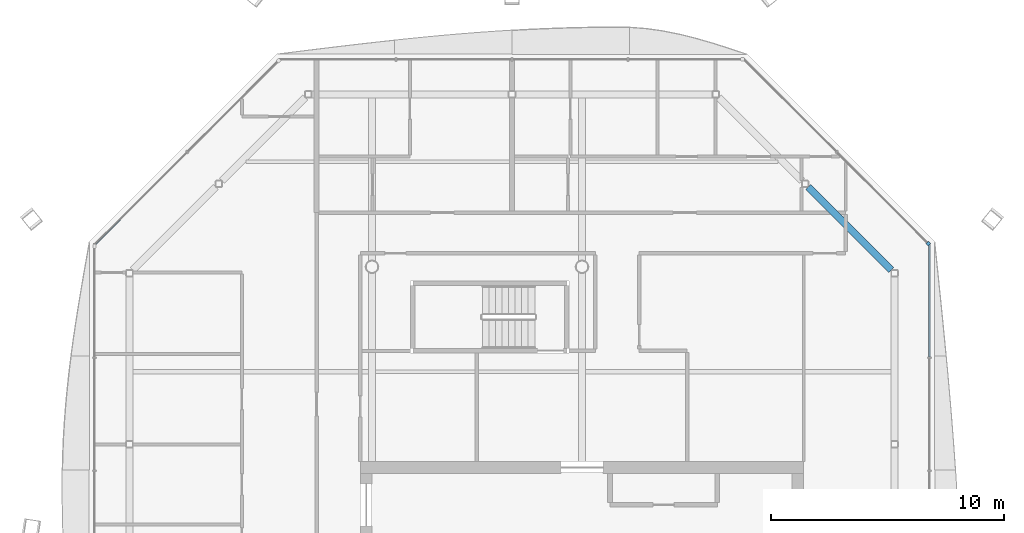
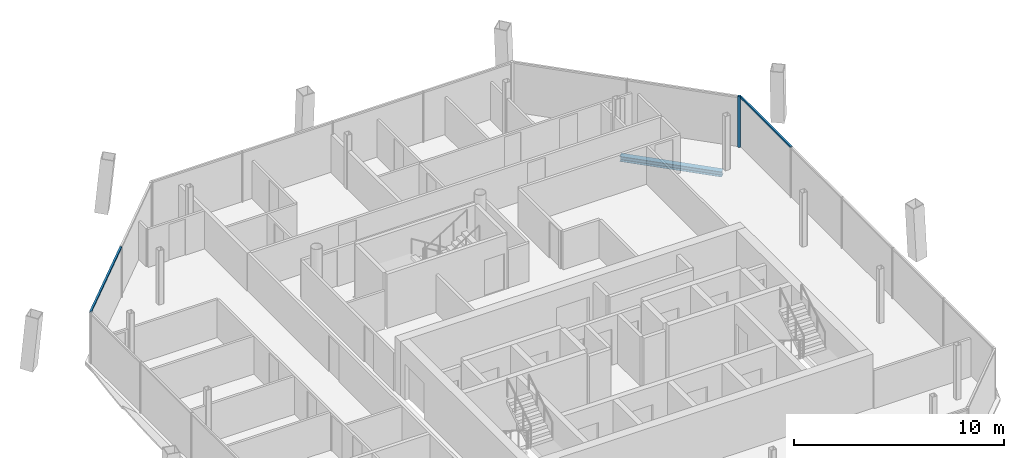
# One storey, part 7 of 15: 3 members, 1 beam, 3 elements without a shape of their own.
"""IFC4 building model written with IfcOpenShell, lengths in metres."""

from ifc_helpers import new_model, si_unit, direction, frame, origin, origin_2d, place, context, subcontext, project, spatial, rectangle, i_section, extrude, material, material_profile, profile_set, type_object, element, aggregate, save


model = new_model("IFC4")

# Units and contexts
model_context = context("Model", 3, precision=1e-05, world=origin(), true_north=direction((0.0, 1.0)))
body_context = subcontext(model_context, "Body", "Model", "MODEL_VIEW")
ifc_project = project(units=[si_unit("LENGTHUNIT", "METRE"), si_unit("AREAUNIT", "SQUARE_METRE"), si_unit("VOLUMEUNIT", "CUBIC_METRE"), si_unit("PLANEANGLEUNIT", "RADIAN"), si_unit("MASSUNIT", "GRAM", prefix="KILO")], contexts=[model_context])

# Site, building, storey
site_placement = place(None, origin())
site = spatial("IfcSite", under=ifc_project, at=site_placement, CompositionType="ELEMENT")
building_placement = place(site_placement, origin())
building = spatial("IfcBuilding", under=site, at=building_placement, Name="Tskaro Facet Tower", CompositionType="ELEMENT")
storey_placement = place(building_placement, frame((0.0, 0.0, 242.39990234375)))
storey = spatial("IfcBuildingStorey", under=building, at=storey_placement, Name="L63", CompositionType="ELEMENT", Elevation=242.39990234375)

# Curtain wall, member
ifc_material_1 = material(Name="Bronze anodised aluminium 6063-T6", Category="aluminium")
curtain_wall_type = type_object("IfcCurtainWallType", Name="Bronze residence curtain wall (FW3)", PredefinedType="NOTDEFINED", material=ifc_material_1)
curtain_wall_1_placement = place(storey_placement, origin())
curtain_wall_1 = element("IfcCurtainWall", 1, at=curtain_wall_1_placement, inside=storey, type_object=curtain_wall_type, Name="FW3 north-east facet L63", PredefinedType="NOTDEFINED")
ifc_material_profile_1 = material_profile(ifc_material_1, rectangle(XDim=0.139892578125, YDim=0.139892578125, at=origin_2d()), Name="Corner post 140x140")
ifc_profile_set_1 = profile_set([ifc_material_profile_1], Name="Bronze anodised aluminium 6063-T6")
member_type_1 = type_object("IfcMemberType", Name="FW3 bronze corner post 140x140", PredefinedType="MULLION", material=ifc_profile_set_1)
member_1_placement = place(storey_placement, frame((14.839599609375, 9.99755859375, 0.0), z_axis=(0.0, 0.0, 1.0), x_axis=(-0.707106781187, 0.707106781187, 0.0)))
member_1 = element("IfcMember", 2, at=member_1_placement, type_object=member_type_1, Name="FW3 north-east corner post", PredefinedType="MULLION", context=body_context, shape_type="SweptSolid", body=[
    extrude(rectangle(XDim=0.139892578125, YDim=0.139892578125, at=origin_2d()), origin(), (0.0, 0.0, 1.0), 2.9501953125),
])
aggregate(curtain_wall_1, [member_1])

curtain_wall_2_placement = place(storey_placement, origin())
curtain_wall_2 = element("IfcCurtainWall", 3, at=curtain_wall_2_placement, inside=storey, type_object=curtain_wall_type, Name="FW3 east facet L63", PredefinedType="NOTDEFINED")
ifc_material_profile_2 = material_profile(ifc_material_1, rectangle(XDim=0.10009765625, YDim=0.090087890625, at=origin_2d()), Name="Transom 100x90")
ifc_profile_set_2 = profile_set([ifc_material_profile_2], Name="Bronze anodised aluminium 6063-T6")
member_type_2 = type_object("IfcMemberType", Name="FW3 bronze transom 100x90", PredefinedType="USERDEFINED", material=ifc_profile_set_2)
member_2_placement = place(storey_placement, frame((14.888916015625, 5.1328125, 2.905029296875), z_axis=(0.0, 1.0, 0.0), x_axis=(-1.0, 0.0, 0.0)))
member_2 = element("IfcMember", 4, at=member_2_placement, type_object=member_type_2, Name="FW3 east transom 5.1", ObjectType="TRANSOM", PredefinedType="USERDEFINED", context=body_context, shape_type="SweptSolid", body=[
    extrude(rectangle(XDim=0.10009765625, YDim=0.090087890625, at=origin_2d()), origin(), (0.0, 0.0, 1.0), 4.815185546875),
])
aggregate(curtain_wall_2, [member_2])

curtain_wall_3_placement = place(storey_placement, origin())
curtain_wall_3 = element("IfcCurtainWall", 5, at=curtain_wall_3_placement, inside=storey, type_object=curtain_wall_type, Name="FW3 north-west facet L63", PredefinedType="NOTDEFINED")
member_3_placement = place(storey_placement, frame((-16.936279296875, 13.90087890625, 2.905029296875), z_axis=(-0.70708494376, -0.707128617938, 0.0), x_axis=(0.707128617938, -0.70708494376, 0.0)))
member_3 = element("IfcMember", 6, at=member_3_placement, type_object=member_type_2, Name="FW3 north-west transom 2.1", ObjectType="TRANSOM", PredefinedType="USERDEFINED", context=body_context, shape_type="SweptSolid", body=[
    extrude(rectangle(XDim=0.10009765625, YDim=0.090087890625, at=origin_2d()), origin(), (0.0, 0.0, 1.0), 5.590087890625),
])
aggregate(curtain_wall_3, [member_3])

# Beam
ifc_material_2 = material(Name="Steel S355J2", Category="steel")
ifc_material_profile_3 = material_profile(ifc_material_2, i_section(OverallWidth=0.300048828125, OverallDepth=0.300048828125, WebThickness=0.010986328125, FlangeThickness=0.01904296875, FilletRadius=0.027099609375, at=origin_2d()), Name="HE 300 B")
ifc_profile_set_3 = profile_set([ifc_material_profile_3], Name="Steel S355J2")
beam_type = type_object("IfcBeamType", Name="HE 300 B ring beam", PredefinedType="BEAM", material=ifc_profile_set_3)
beam_placement = place(storey_placement, frame((13.255126953125, 8.86083984375, -0.289794921875), z_axis=(-0.707106781187, 0.707106781187, 0.0), x_axis=(-0.707106781187, -0.707106781187, 0.0)))
element("IfcBeam", 7, at=beam_placement, inside=storey, type_object=beam_type, Name="HE 300 B EB8-5", PredefinedType="BEAM", context=body_context, shape_type="SweptSolid", body=[
    extrude(i_section(OverallWidth=0.300048828125, OverallDepth=0.300048828125, WebThickness=0.010986328125, FlangeThickness=0.01904296875, FilletRadius=0.027099609375, at=origin_2d()), origin(), (0.0, 0.0, 1.0), 5.036376953125),
])

save(model, "model.ifc")
